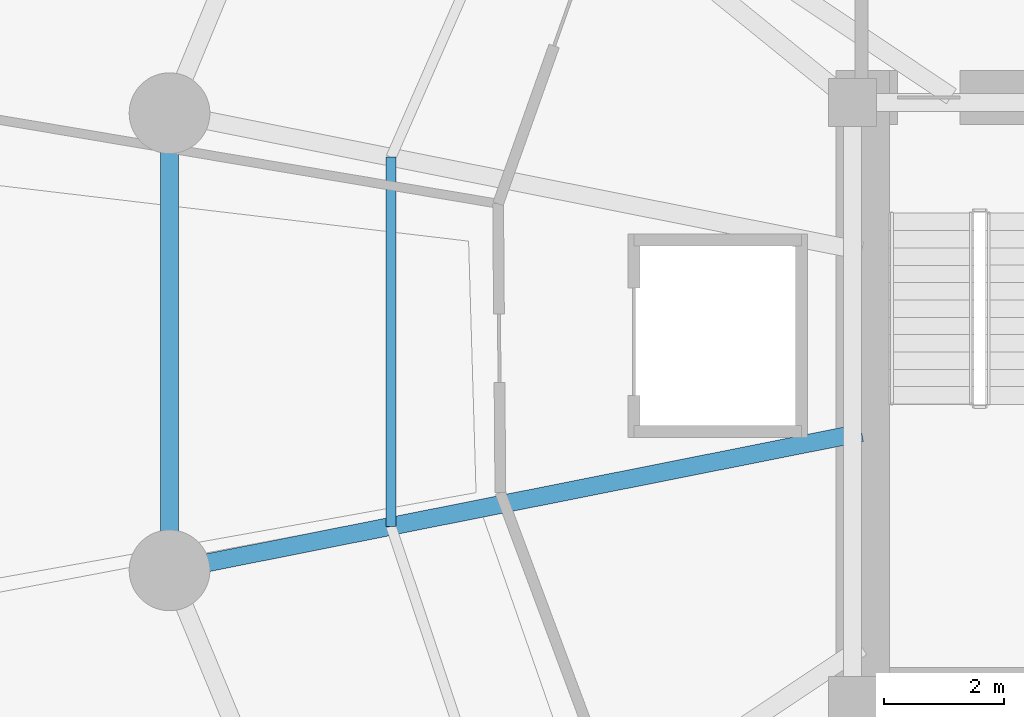
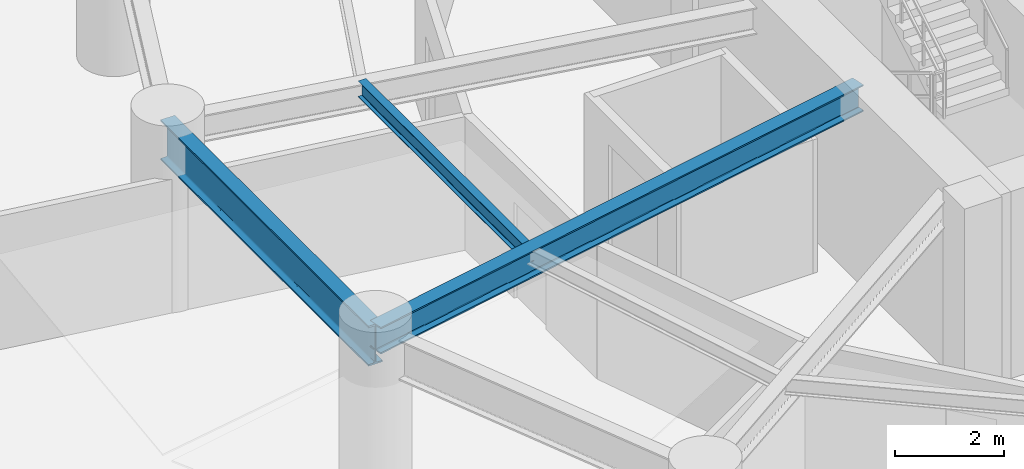
# One storey, part 5 of 17: 3 beams.
"""IFC4 building model written with IfcOpenShell, lengths in metres."""

from ifc_helpers import new_model, si_unit, direction, frame, origin, origin_2d, place, context, subcontext, project, spatial, i_section, extrude, material, material_profile, profile_set, type_object, element, save


model = new_model("IFC4")

# Units and contexts
model_context = context("Model", 3, precision=1e-05, world=origin(), true_north=direction((0.0, 1.0)))
body_context = subcontext(model_context, "Body", "Model", "MODEL_VIEW")
ifc_project = project(units=[si_unit("LENGTHUNIT", "METRE"), si_unit("AREAUNIT", "SQUARE_METRE"), si_unit("VOLUMEUNIT", "CUBIC_METRE"), si_unit("PLANEANGLEUNIT", "RADIAN"), si_unit("MASSUNIT", "GRAM", prefix="KILO"), si_unit("THERMODYNAMICTEMPERATUREUNIT", "KELVIN"), si_unit("POWERUNIT", "WATT")], contexts=[model_context])

# Site, building, storey
site_placement = place(None, origin())
site = spatial("IfcSite", under=ifc_project, at=site_placement, CompositionType="ELEMENT")
building_placement = place(site_placement, origin())
building = spatial("IfcBuilding", under=site, at=building_placement, Name="Ocrelia Relay Tower", CompositionType="ELEMENT")
storey_placement = place(building_placement, frame((0.0, 0.0, 76.199951171875)))
storey = spatial("IfcBuildingStorey", under=building, at=storey_placement, Name="L17", CompositionType="ELEMENT", Elevation=76.199951171875)

# Beams
ifc_material = material(Name="Steel S355", Category="steel")
ifc_material_profile_1 = material_profile(ifc_material, i_section(OverallWidth=0.300048828125, OverallDepth=0.60009765625, WebThickness=0.015380859375, FlangeThickness=0.030029296875, FilletRadius=0.027099609375, at=origin_2d()), Name="HEB 600")
ifc_profile_set_1 = profile_set([ifc_material_profile_1], Name="Steel S355")
beam_type_1 = type_object("IfcBeamType", Name="BM-HEB600", PredefinedType="BEAM", material=ifc_profile_set_1)
beam_1_placement = place(storey_placement, frame((14.776611328125, 22.17626953125, 3.6201171875), z_axis=(0.980786938484, 0.195081986098, 0.0), x_axis=(-0.195081986098, 0.980786938484, 0.0)))
element("IfcBeam", 1, at=beam_1_placement, inside=storey, type_object=beam_type_1, Name="L17 Radial Floor Girder R09", PredefinedType="BEAM", context=body_context, shape_type="SweptSolid", body=[
    extrude(i_section(OverallWidth=0.300048828125, OverallDepth=0.60009765625, WebThickness=0.015380859375, FlangeThickness=0.030029296875, FilletRadius=0.027099609375, at=origin_2d()), origin(), (0.0, 0.0, 1.0), 11.80517578125),
])
ifc_material_profile_2 = material_profile(ifc_material, i_section(OverallWidth=0.300048828125, OverallDepth=0.89990234375, WebThickness=0.0185546875, FlangeThickness=0.034912109375, FilletRadius=0.030029296875, at=origin_2d()), Name="HEB 900")
ifc_profile_set_2 = profile_set([ifc_material_profile_2], Name="Steel S355")
beam_type_2 = type_object("IfcBeamType", Name="BM-HEB900", PredefinedType="BEAM", material=ifc_profile_set_2)
beam_2_placement = place(storey_placement, frame((14.776611328125, 29.82373046875, 3.469970703125), z_axis=(0.0, -1.0, 0.0), x_axis=(1.0, 0.0, 0.0)))
element("IfcBeam", 2, at=beam_2_placement, inside=storey, type_object=beam_type_2, Name="L17 Perimeter Spandrel Beam S08", PredefinedType="BEAM", context=body_context, shape_type="SweptSolid", body=[
    extrude(i_section(OverallWidth=0.300048828125, OverallDepth=0.89990234375, WebThickness=0.0185546875, FlangeThickness=0.034912109375, FilletRadius=0.030029296875, at=origin_2d()), origin(), (0.0, 0.0, 1.0), 7.6474609375),
])
ifc_material_profile_3 = material_profile(ifc_material, i_section(OverallWidth=0.169921875, OverallDepth=0.360107421875, WebThickness=0.008056640625, FlangeThickness=0.0126953125, FilletRadius=0.01806640625, at=origin_2d()), Name="IPE 360")
ifc_profile_set_3 = profile_set([ifc_material_profile_3], Name="Steel S355")
beam_type_3 = type_object("IfcBeamType", Name="BM-IPE360", PredefinedType="JOIST", material=ifc_profile_set_3)
beam_3_placement = place(storey_placement, frame((18.481689453125, 29.0869140625, 3.739990234375), z_axis=(0.0, -1.0, 0.0), x_axis=(1.0, 0.0, 0.0)))
element("IfcBeam", 3, at=beam_3_placement, inside=storey, type_object=beam_type_3, Name="L17 Secondary Floor Joist J08", PredefinedType="JOIST", context=body_context, shape_type="SweptSolid", body=[
    extrude(i_section(OverallWidth=0.169921875, OverallDepth=0.360107421875, WebThickness=0.008056640625, FlangeThickness=0.0126953125, FilletRadius=0.01806640625, at=origin_2d()), origin(), (0.0, 0.0, 1.0), 6.173828125),
])

save(model, "model.ifc")
